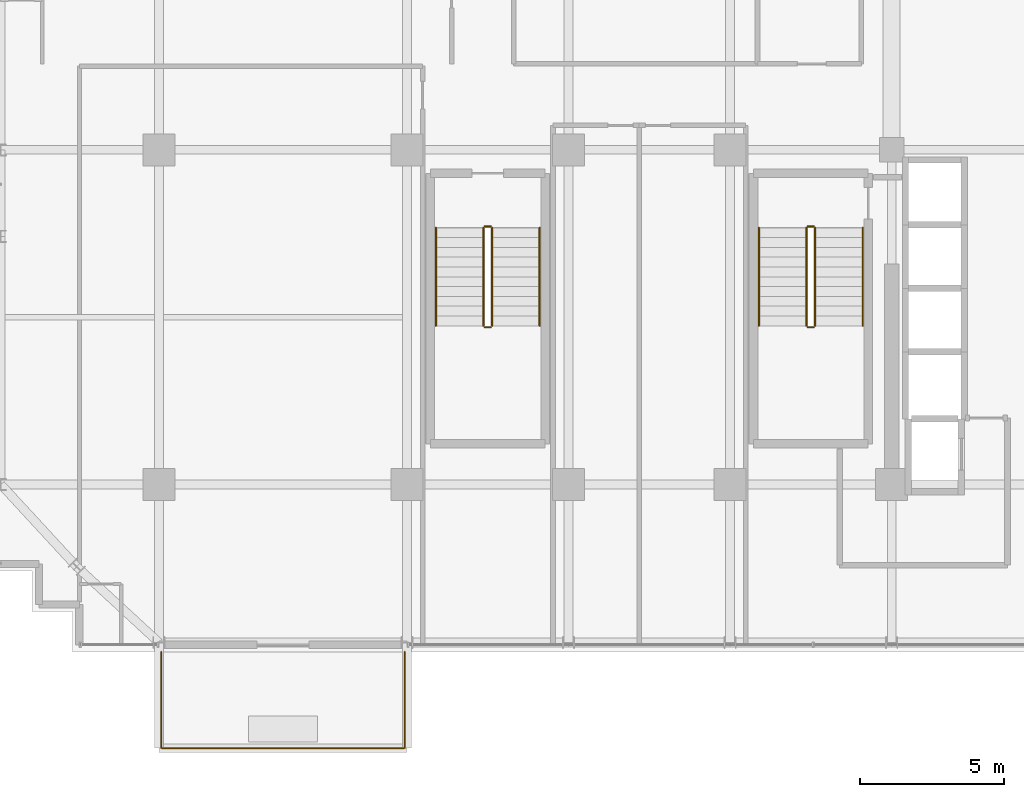
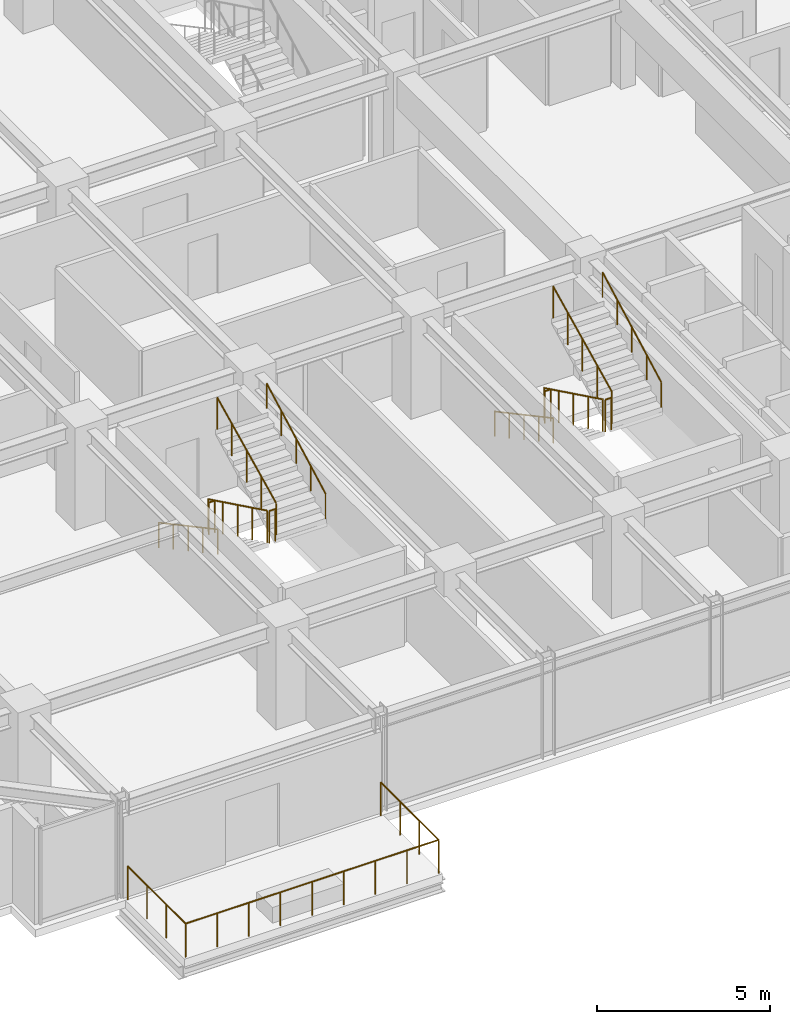
# One storey, part 29 of 31: 13 railings.
"""IFC4 building model written with IfcOpenShell, lengths in metres."""

from ifc_helpers import new_model, si_unit, direction, frame, origin, origin_2d, place, context, subcontext, project, spatial, circle, extrude, material, type_object, element, save


model = new_model("IFC4")

# Units and contexts
model_context = context("Model", 3, precision=1e-05, world=origin(), true_north=direction((0.0, 1.0)))
body_context = subcontext(model_context, "Body", "Model", "MODEL_VIEW")
ifc_project = project(units=[si_unit("LENGTHUNIT", "METRE"), si_unit("AREAUNIT", "SQUARE_METRE"), si_unit("VOLUMEUNIT", "CUBIC_METRE"), si_unit("PLANEANGLEUNIT", "RADIAN"), si_unit("MASSUNIT", "GRAM", prefix="KILO")], contexts=[model_context])

# Site, building, storey
site_placement = place(None, origin())
site = spatial("IfcSite", under=ifc_project, at=site_placement, CompositionType="ELEMENT")
building_placement = place(site_placement, origin())
building = spatial("IfcBuilding", under=site, at=building_placement, Name="Nahalor Promenade Grand Hotel", CompositionType="ELEMENT")
storey_placement = place(building_placement, frame((0.0, 0.0, 192.800048828125)))
storey = spatial("IfcBuildingStorey", under=building, at=storey_placement, Name="L49", CompositionType="ELEMENT", Elevation=192.800048828125)

# Railings
ifc_material_1 = material(Name="Anodised Bronze Aluminium EN AW-6063 T6", Category="aluminium")
railing_type_1 = type_object("IfcRailingType", Name="Bronze Balcony Guardrail 1200 mm", PredefinedType="GUARDRAIL", material=ifc_material_1)
railing_1_placement = place(storey_placement, frame((-16.919921875, -22.800048828125, 0.0)))
element("IfcRailing", 1, at=railing_1_placement, inside=storey, type_object=railing_type_1, Name="L49 Balcony Guardrail 1", PredefinedType="GUARDRAIL", context=body_context, shape_type="SweptSolid", body=[
    extrude(circle(Radius=0.024048, at=origin_2d()), frame((0.0, 0.0, 1.17578125), z_axis=(0.0, -1.0, 0.0), x_axis=(1.0, 0.0, 0.0)), (0.0, 0.0, 1.0), 3.337890625),
    extrude(circle(Radius=0.024048, at=origin_2d()), frame((0.001953125, -3.33984375, 1.17578125), z_axis=(1.0, 0.0, 0.0), x_axis=(0.0, 1.0, 0.0)), (0.0, 0.0, 1.0), 8.43603515625),
    extrude(circle(Radius=0.024048, at=origin_2d()), frame((8.43994140625, -3.337890625, 1.17578125), z_axis=(0.0, 1.0, 0.0), x_axis=(-1.0, 0.0, 0.0)), (0.0, 0.0, 1.0), 3.337890625),
    extrude(circle(Radius=0.020996, at=origin_2d()), origin(), (0.0, 0.0, 1.0), 1.14990234375),
    extrude(circle(Radius=0.020996, at=origin_2d()), frame((0.0, -1.11328125, 0.0)), (0.0, 0.0, 1.0), 1.14990234375),
    extrude(circle(Radius=0.020996, at=origin_2d()), frame((0.0, -2.2265625, 0.0)), (0.0, 0.0, 1.0), 1.14990234375),
    extrude(circle(Radius=0.020996, at=origin_2d()), frame((0.0, -3.33984375, 0.0)), (0.0, 0.0, 1.0), 1.14990234375),
    extrude(circle(Radius=0.020996, at=origin_2d()), frame((1.054931640625, -3.33984375, 0.0)), (0.0, 0.0, 1.0), 1.14990234375),
    extrude(circle(Radius=0.020996, at=origin_2d()), frame((2.10986328125, -3.33984375, 0.0)), (0.0, 0.0, 1.0), 1.14990234375),
    extrude(circle(Radius=0.020996, at=origin_2d()), frame((3.1650390625, -3.33984375, 0.0)), (0.0, 0.0, 1.0), 1.14990234375),
    extrude(circle(Radius=0.020996, at=origin_2d()), frame((4.219970703125, -3.33984375, 0.0)), (0.0, 0.0, 1.0), 1.14990234375),
    extrude(circle(Radius=0.020996, at=origin_2d()), frame((5.27490234375, -3.33984375, 0.0)), (0.0, 0.0, 1.0), 1.14990234375),
    extrude(circle(Radius=0.020996, at=origin_2d()), frame((6.330078125, -3.33984375, 0.0)), (0.0, 0.0, 1.0), 1.14990234375),
    extrude(circle(Radius=0.020996, at=origin_2d()), frame((7.385009765625, -3.33984375, 0.0)), (0.0, 0.0, 1.0), 1.14990234375),
    extrude(circle(Radius=0.020996, at=origin_2d()), frame((8.43994140625, -3.33984375, 0.0)), (0.0, 0.0, 1.0), 1.14990234375),
    extrude(circle(Radius=0.020996, at=origin_2d()), frame((8.43994140625, -2.2265625, 0.0)), (0.0, 0.0, 1.0), 1.14990234375),
    extrude(circle(Radius=0.020996, at=origin_2d()), frame((8.43994140625, -1.11328125, 0.0)), (0.0, 0.0, 1.0), 1.14990234375),
    extrude(circle(Radius=0.020996, at=origin_2d()), frame((8.43994140625, 0.0, 0.0)), (0.0, 0.0, 1.0), 1.14990234375),
])
ifc_material_2 = material(Name="Steel S355JR", Category="steel")
railing_type_2 = type_object("IfcRailingType", Name="Steel Stair Guardrail 1150 mm", PredefinedType="GUARDRAIL", material=ifc_material_2)
railing_2_placement = place(storey_placement, frame((5.449951171875, -8.10009765625, 0.165771484375)))
element("IfcRailing", 2, at=railing_2_placement, inside=storey, type_object=railing_type_2, Name="L49 ST2 stair guard 1", PredefinedType="GUARDRAIL", context=body_context, shape_type="SweptSolid", body=[
    extrude(circle(Radius=0.024048, at=origin_2d()), frame((0.0, 0.0, 1.1259765625), z_axis=(0.0, -0.898696488221, 0.438571114028), x_axis=(1.0, 0.0, 0.0)), (0.0, 0.0, 1.0), 3.783203125),
    extrude(circle(Radius=0.020996, at=origin_2d()), origin(), (0.0, 0.0, 1.0), 1.099853515625),
    extrude(circle(Radius=0.020996, at=origin_2d()), frame((0.0, -0.85009765625, 0.414794921875)), (0.0, 0.0, 1.0), 1.099853515625),
    extrude(circle(Radius=0.020996, at=origin_2d()), frame((0.0, -1.699951171875, 0.82958984375)), (0.0, 0.0, 1.0), 1.099853515625),
    extrude(circle(Radius=0.020996, at=origin_2d()), frame((0.0, -2.5498046875, 1.244384765625)), (0.0, 0.0, 1.0), 1.099853515625),
    extrude(circle(Radius=0.020996, at=origin_2d()), frame((0.0, -3.39990234375, 1.6591796875)), (0.0, 0.0, 1.0), 1.099853515625),
])
railing_3_placement = place(storey_placement, frame((5.5, -11.550048828125, 1.824951171875)))
element("IfcRailing", 3, at=railing_3_placement, inside=storey, type_object=railing_type_2, Name="L49 ST2 stair guard 2", PredefinedType="GUARDRAIL", context=body_context, shape_type="SweptSolid", body=[
    extrude(circle(Radius=0.024048, at=origin_2d()), frame((0.0, 0.0, 1.1259765625), z_axis=(1.0, 0.0, 0.0), x_axis=(0.0, 1.0, 0.0)), (0.0, 0.0, 1.0), 0.199951171875),
    extrude(circle(Radius=0.020996, at=origin_2d()), origin(), (0.0, 0.0, 1.0), 1.099853515625),
    extrude(circle(Radius=0.020996, at=origin_2d()), frame((0.199951171875, 0.0, 0.0)), (0.0, 0.0, 1.0), 1.099853515625),
])
railing_4_placement = place(storey_placement, frame((5.75, -11.5, 1.990966796875)))
element("IfcRailing", 4, at=railing_4_placement, inside=storey, type_object=railing_type_2, Name="L49 ST2 stair guard 3", PredefinedType="GUARDRAIL", context=body_context, shape_type="SweptSolid", body=[
    extrude(circle(Radius=0.024048, at=origin_2d()), frame((0.0, 0.0, 1.1259765625), z_axis=(0.0, 0.898721922897, 0.438518990814), x_axis=(-1.0, 0.0, 0.0)), (0.0, 0.0, 1.0), 3.782958984375),
    extrude(circle(Radius=0.020996, at=origin_2d()), origin(), (0.0, 0.0, 1.0), 1.099853515625),
    extrude(circle(Radius=0.020996, at=origin_2d()), frame((0.0, 0.85009765625, 0.414794921875)), (0.0, 0.0, 1.0), 1.099853515625),
    extrude(circle(Radius=0.020996, at=origin_2d()), frame((0.0, 1.699951171875, 0.82958984375)), (0.0, 0.0, 1.0), 1.099853515625),
    extrude(circle(Radius=0.020996, at=origin_2d()), frame((0.0, 2.5498046875, 1.244140625)), (0.0, 0.0, 1.0), 1.099853515625),
    extrude(circle(Radius=0.020996, at=origin_2d()), frame((0.0, 3.39990234375, 1.658935546875)), (0.0, 0.0, 1.0), 1.099853515625),
])
railing_5_placement = place(storey_placement, frame((5.5, -8.050048828125, 0.0)))
element("IfcRailing", 5, at=railing_5_placement, inside=storey, type_object=railing_type_2, Name="L49 ST2 stair guard 4", PredefinedType="GUARDRAIL", context=body_context, shape_type="SweptSolid", body=[
    extrude(circle(Radius=0.024048, at=origin_2d()), frame((0.0, 0.0, 1.1259765625), z_axis=(1.0, 0.0, 0.0), x_axis=(0.0, 1.0, 0.0)), (0.0, 0.0, 1.0), 0.199951171875),
    extrude(circle(Radius=0.020996, at=origin_2d()), origin(), (0.0, 0.0, 1.0), 1.099853515625),
    extrude(circle(Radius=0.020996, at=origin_2d()), frame((0.199951171875, 0.0, 0.0)), (0.0, 0.0, 1.0), 1.099853515625),
])
railing_6_placement = place(storey_placement, frame((-5.75, -8.10009765625, 0.165771484375)))
element("IfcRailing", 6, at=railing_6_placement, inside=storey, type_object=railing_type_2, Name="L49 ST3 stair guard 1", PredefinedType="GUARDRAIL", context=body_context, shape_type="SweptSolid", body=[
    extrude(circle(Radius=0.024048, at=origin_2d()), frame((0.0, 0.0, 1.1259765625), z_axis=(0.0, -0.898696488221, 0.438571114028), x_axis=(1.0, 0.0, 0.0)), (0.0, 0.0, 1.0), 3.783203125),
    extrude(circle(Radius=0.020996, at=origin_2d()), origin(), (0.0, 0.0, 1.0), 1.099853515625),
    extrude(circle(Radius=0.020996, at=origin_2d()), frame((0.0, -0.85009765625, 0.414794921875)), (0.0, 0.0, 1.0), 1.099853515625),
    extrude(circle(Radius=0.020996, at=origin_2d()), frame((0.0, -1.699951171875, 0.82958984375)), (0.0, 0.0, 1.0), 1.099853515625),
    extrude(circle(Radius=0.020996, at=origin_2d()), frame((0.0, -2.5498046875, 1.244384765625)), (0.0, 0.0, 1.0), 1.099853515625),
    extrude(circle(Radius=0.020996, at=origin_2d()), frame((0.0, -3.39990234375, 1.6591796875)), (0.0, 0.0, 1.0), 1.099853515625),
])
railing_7_placement = place(storey_placement, frame((-5.699951171875, -11.550048828125, 1.824951171875)))
element("IfcRailing", 7, at=railing_7_placement, inside=storey, type_object=railing_type_2, Name="L49 ST3 stair guard 2", PredefinedType="GUARDRAIL", context=body_context, shape_type="SweptSolid", body=[
    extrude(circle(Radius=0.024048, at=origin_2d()), frame((0.0, 0.0, 1.1259765625), z_axis=(1.0, 0.0, 0.0), x_axis=(0.0, 1.0, 0.0)), (0.0, 0.0, 1.0), 0.199951171875),
    extrude(circle(Radius=0.020996, at=origin_2d()), origin(), (0.0, 0.0, 1.0), 1.099853515625),
    extrude(circle(Radius=0.020996, at=origin_2d()), frame((0.199951171875, 0.0, 0.0)), (0.0, 0.0, 1.0), 1.099853515625),
])
railing_8_placement = place(storey_placement, frame((-5.449951171875, -11.5, 1.990966796875)))
element("IfcRailing", 8, at=railing_8_placement, inside=storey, type_object=railing_type_2, Name="L49 ST3 stair guard 3", PredefinedType="GUARDRAIL", context=body_context, shape_type="SweptSolid", body=[
    extrude(circle(Radius=0.024048, at=origin_2d()), frame((0.0, 0.0, 1.1259765625), z_axis=(0.0, 0.898721922897, 0.438518990814), x_axis=(-1.0, 0.0, 0.0)), (0.0, 0.0, 1.0), 3.782958984375),
    extrude(circle(Radius=0.020996, at=origin_2d()), origin(), (0.0, 0.0, 1.0), 1.099853515625),
    extrude(circle(Radius=0.020996, at=origin_2d()), frame((0.0, 0.85009765625, 0.414794921875)), (0.0, 0.0, 1.0), 1.099853515625),
    extrude(circle(Radius=0.020996, at=origin_2d()), frame((0.0, 1.699951171875, 0.82958984375)), (0.0, 0.0, 1.0), 1.099853515625),
    extrude(circle(Radius=0.020996, at=origin_2d()), frame((0.0, 2.5498046875, 1.244140625)), (0.0, 0.0, 1.0), 1.099853515625),
    extrude(circle(Radius=0.020996, at=origin_2d()), frame((0.0, 3.39990234375, 1.658935546875)), (0.0, 0.0, 1.0), 1.099853515625),
])
railing_9_placement = place(storey_placement, frame((-5.699951171875, -8.050048828125, 0.0)))
element("IfcRailing", 9, at=railing_9_placement, inside=storey, type_object=railing_type_2, Name="L49 ST3 stair guard 4", PredefinedType="GUARDRAIL", context=body_context, shape_type="SweptSolid", body=[
    extrude(circle(Radius=0.024048, at=origin_2d()), frame((0.0, 0.0, 1.1259765625), z_axis=(1.0, 0.0, 0.0), x_axis=(0.0, 1.0, 0.0)), (0.0, 0.0, 1.0), 0.199951171875),
    extrude(circle(Radius=0.020996, at=origin_2d()), origin(), (0.0, 0.0, 1.0), 1.099853515625),
    extrude(circle(Radius=0.020996, at=origin_2d()), frame((0.199951171875, 0.0, 0.0)), (0.0, 0.0, 1.0), 1.099853515625),
])
railing_type_3 = type_object("IfcRailingType", Name="Steel Stair Handrail 900 mm", PredefinedType="HANDRAIL", material=ifc_material_2)
railing_10_placement = place(storey_placement, frame((3.800048828125, -8.10009765625, 0.165771484375)))
element("IfcRailing", 10, at=railing_10_placement, inside=storey, type_object=railing_type_3, Name="L49 ST2 stair handrail 1", PredefinedType="HANDRAIL", context=body_context, shape_type="SweptSolid", body=[
    extrude(circle(Radius=0.024048, at=origin_2d()), frame((0.0, 0.0, 0.8759765625), z_axis=(0.0, -0.881067672671, 0.472990228413), x_axis=(1.0, 0.0, 0.0)), (0.0, 0.0, 1.0), 3.85888671875),
    extrude(circle(Radius=0.020996, at=origin_2d()), origin(), (0.0, 0.0, 1.0), 0.849853515625),
    extrude(circle(Radius=0.020996, at=origin_2d()), frame((0.0, -0.85009765625, 0.456298828125)), (0.0, 0.0, 1.0), 0.849853515625),
    extrude(circle(Radius=0.020996, at=origin_2d()), frame((0.0, -1.699951171875, 0.91259765625)), (0.0, 0.0, 1.0), 0.849853515625),
    extrude(circle(Radius=0.020996, at=origin_2d()), frame((0.0, -2.5498046875, 1.368896484375)), (0.0, 0.0, 1.0), 0.849853515625),
    extrude(circle(Radius=0.020996, at=origin_2d()), frame((0.0, -3.39990234375, 1.8251953125)), (0.0, 0.0, 1.0), 0.849853515625),
])
railing_11_placement = place(storey_placement, frame((7.39990234375, -11.5, 1.990966796875)))
element("IfcRailing", 11, at=railing_11_placement, inside=storey, type_object=railing_type_3, Name="L49 ST2 stair handrail 2", PredefinedType="HANDRAIL", context=body_context, shape_type="SweptSolid", body=[
    extrude(circle(Radius=0.024048, at=origin_2d()), frame((0.0, 0.0, 0.8759765625), z_axis=(0.0, 0.881094038095, 0.47294111265), x_axis=(-1.0, 0.0, 0.0)), (0.0, 0.0, 1.0), 3.858642578125),
    extrude(circle(Radius=0.020996, at=origin_2d()), origin(), (0.0, 0.0, 1.0), 0.849853515625),
    extrude(circle(Radius=0.020996, at=origin_2d()), frame((0.0, 0.85009765625, 0.456298828125)), (0.0, 0.0, 1.0), 0.849853515625),
    extrude(circle(Radius=0.020996, at=origin_2d()), frame((0.0, 1.699951171875, 0.91259765625)), (0.0, 0.0, 1.0), 0.849853515625),
    extrude(circle(Radius=0.020996, at=origin_2d()), frame((0.0, 2.5498046875, 1.36865234375)), (0.0, 0.0, 1.0), 0.849853515625),
    extrude(circle(Radius=0.020996, at=origin_2d()), frame((0.0, 3.39990234375, 1.824951171875)), (0.0, 0.0, 1.0), 0.849853515625),
])
railing_12_placement = place(storey_placement, frame((-7.39990234375, -8.10009765625, 0.165771484375)))
element("IfcRailing", 12, at=railing_12_placement, inside=storey, type_object=railing_type_3, Name="L49 ST3 stair handrail 1", PredefinedType="HANDRAIL", context=body_context, shape_type="SweptSolid", body=[
    extrude(circle(Radius=0.024048, at=origin_2d()), frame((0.0, 0.0, 0.8759765625), z_axis=(0.0, -0.881067672671, 0.472990228413), x_axis=(1.0, 0.0, 0.0)), (0.0, 0.0, 1.0), 3.85888671875),
    extrude(circle(Radius=0.020996, at=origin_2d()), origin(), (0.0, 0.0, 1.0), 0.849853515625),
    extrude(circle(Radius=0.020996, at=origin_2d()), frame((0.0, -0.85009765625, 0.456298828125)), (0.0, 0.0, 1.0), 0.849853515625),
    extrude(circle(Radius=0.020996, at=origin_2d()), frame((0.0, -1.699951171875, 0.91259765625)), (0.0, 0.0, 1.0), 0.849853515625),
    extrude(circle(Radius=0.020996, at=origin_2d()), frame((0.0, -2.5498046875, 1.368896484375)), (0.0, 0.0, 1.0), 0.849853515625),
    extrude(circle(Radius=0.020996, at=origin_2d()), frame((0.0, -3.39990234375, 1.8251953125)), (0.0, 0.0, 1.0), 0.849853515625),
])
railing_13_placement = place(storey_placement, frame((-3.800048828125, -11.5, 1.990966796875)))
element("IfcRailing", 13, at=railing_13_placement, inside=storey, type_object=railing_type_3, Name="L49 ST3 stair handrail 2", PredefinedType="HANDRAIL", context=body_context, shape_type="SweptSolid", body=[
    extrude(circle(Radius=0.024048, at=origin_2d()), frame((0.0, 0.0, 0.8759765625), z_axis=(0.0, 0.881094038095, 0.47294111265), x_axis=(-1.0, 0.0, 0.0)), (0.0, 0.0, 1.0), 3.858642578125),
    extrude(circle(Radius=0.020996, at=origin_2d()), origin(), (0.0, 0.0, 1.0), 0.849853515625),
    extrude(circle(Radius=0.020996, at=origin_2d()), frame((0.0, 0.85009765625, 0.456298828125)), (0.0, 0.0, 1.0), 0.849853515625),
    extrude(circle(Radius=0.020996, at=origin_2d()), frame((0.0, 1.699951171875, 0.91259765625)), (0.0, 0.0, 1.0), 0.849853515625),
    extrude(circle(Radius=0.020996, at=origin_2d()), frame((0.0, 2.5498046875, 1.36865234375)), (0.0, 0.0, 1.0), 0.849853515625),
    extrude(circle(Radius=0.020996, at=origin_2d()), frame((0.0, 3.39990234375, 1.824951171875)), (0.0, 0.0, 1.0), 0.849853515625),
])

save(model, "model.ifc")
